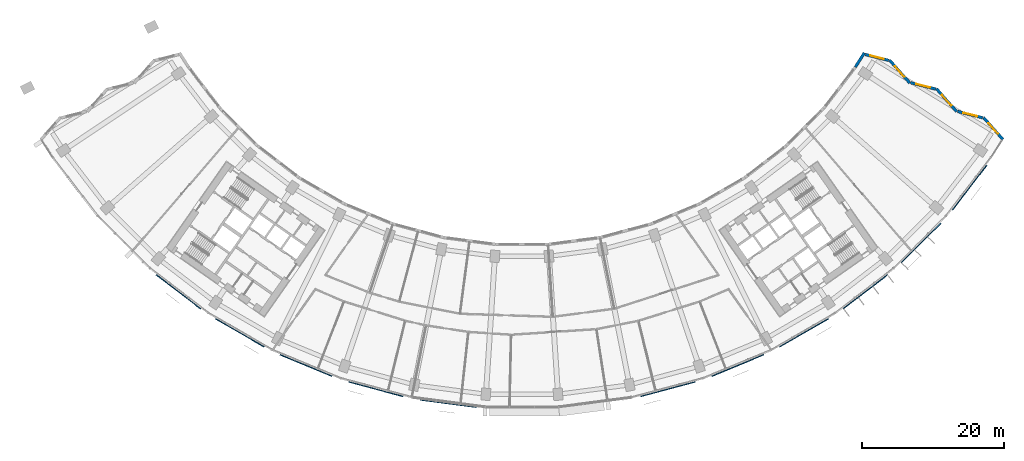
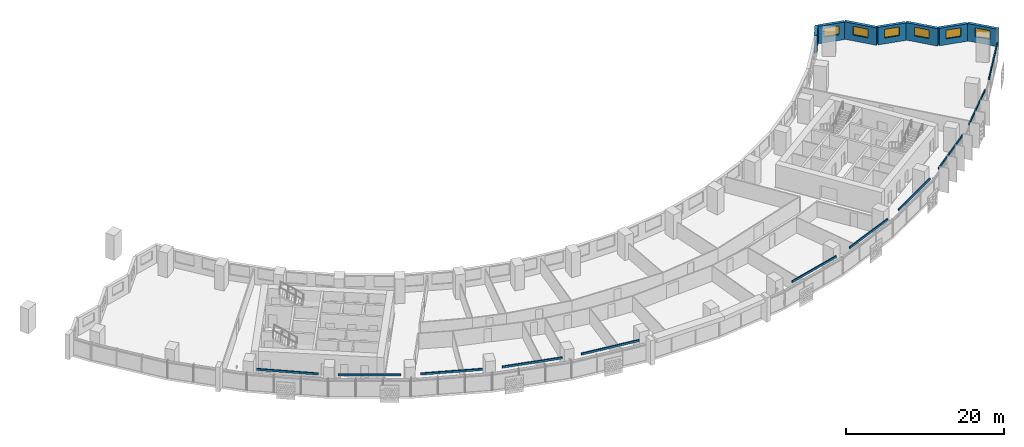
# One storey, part 8 of 31: 11 discrete accessories, 7 walls, 6 windows, 6 openings.
"""IFC4 building model written with IfcOpenShell, lengths in metres."""

from ifc_helpers import new_model, si_unit, direction, frame, frame_2d, origin, origin_2d, place, context, subcontext, project, spatial, rectangle, extrude, material, layer, layer_set, type_object, element, fill, save


model = new_model("IFC4")

# Units and contexts
model_context = context("Model", 3, precision=1e-05, world=origin(), true_north=direction((0.0, 1.0)))
body_context = subcontext(model_context, "Body", "Model", "MODEL_VIEW")
ifc_project = project(units=[si_unit("LENGTHUNIT", "METRE"), si_unit("AREAUNIT", "SQUARE_METRE"), si_unit("VOLUMEUNIT", "CUBIC_METRE"), si_unit("PLANEANGLEUNIT", "RADIAN"), si_unit("MASSUNIT", "GRAM", prefix="KILO")], contexts=[model_context])

# Site, building, storey
site_placement = place(None, origin())
site = spatial("IfcSite", under=ifc_project, at=site_placement, CompositionType="ELEMENT")
building_placement = place(site_placement, origin())
building = spatial("IfcBuilding", under=site, at=building_placement, Name="Qamariyya Broadcast Tower", CompositionType="ELEMENT")
storey_placement = place(building_placement, frame((0.0, 0.0, 74.699951171875)))
storey = spatial("IfcBuildingStorey", under=building, at=storey_placement, Name="L15", CompositionType="ELEMENT", Elevation=74.699951171875)

# Wall, opening, window
ifc_material_1 = material(Name="Terracotta", Category="masonry")
ifc_layer = layer(ifc_material_1, 0.39990234375)
ifc_layer_set = layer_set([ifc_layer], Name="Terracotta clad wall 400")
wall_type = type_object("IfcWallType", Name="Terracotta clad wall 400", PredefinedType="SOLIDWALL", material=ifc_layer_set)
wall_1_placement = place(storey_placement, frame((67.826416015625, -41.645751953125, 0.0), z_axis=(0.0, 0.0, 1.0), x_axis=(-0.662040770151, 0.749467823631, 0.0)))
wall_1 = element("IfcWall", 1, at=wall_1_placement, inside=storey, type_object=wall_type, Name="e-wl-L15-capE0", PredefinedType="SOLIDWALL", context=body_context, shape_type="SweptSolid", body=[
    extrude(rectangle(XDim=4.121826171875, YDim=0.39990234375, at=frame_2d((2.06103515625, 0.0))), origin(), (0.0, 0.0, 1.0), 2.699951171875),
])
opening_1_placement = place(wall_1_placement, frame((1.060791015625, 0.0, 0.89990234375)))
opening_1 = element("IfcOpeningElement", 2, at=opening_1_placement, cuts=wall_1, Name="Opening W4", PredefinedType="OPENING", context=body_context, shape_type="SweptSolid", body=[
    extrude(rectangle(XDim=2.0, YDim=1.35009765625, at=frame_2d((1.0, 0.675048828125))), frame((0.0, 0.2099609375, 0.0), z_axis=(0.0, -1.0, 0.0), x_axis=(1.0, 0.0, 0.0)), (0.0, 0.0, 1.0), 0.419921875),
])
ifc_material_2 = material(Name="Clear low-e double glazed unit in aluminium frame", Category="aluminium")
window_type = type_object("IfcWindowType", Name="Horn bay window 2000 x 1350", PartitioningType="SINGLE_PANEL", PredefinedType="WINDOW", material=ifc_material_2)
window_1_placement = place(opening_1_placement, origin())
window_1 = element("IfcWindow", 3, at=window_1_placement, inside=storey, type_object=window_type, Name="e-w-L15-capE0", OverallHeight=1.35009765625, OverallWidth=2.0, PartitioningType="SINGLE_PANEL", PredefinedType="WINDOW", context=body_context, shape_type="SweptSolid", body=[
    extrude(rectangle(XDim=2.0, YDim=1.35009765625, at=frame_2d((1.0, 0.675048828125))), frame((0.0, 0.030029296875, 0.0), z_axis=(0.0, -1.0, 0.0), x_axis=(1.0, 0.0, 0.0)), (0.0, 0.0, 1.0), 0.06005859375),
])
fill(opening_1, window_1)

wall_2_placement = place(storey_placement, frame((64.97314453125, -38.589111328125, 0.0), z_axis=(0.0, 0.0, 1.0), x_axis=(-0.969429874481, 0.245368536011, 0.0)))
wall_2 = element("IfcWall", 4, at=wall_2_placement, inside=storey, type_object=wall_type, Name="e-wl-L15-capE1", PredefinedType="SOLIDWALL", context=body_context, shape_type="SweptSolid", body=[
    extrude(rectangle(XDim=3.648681640625, YDim=0.39990234375, at=frame_2d((1.82421875, 0.0))), origin(), (0.0, 0.0, 1.0), 2.699951171875),
])
opening_2_placement = place(wall_2_placement, frame((0.824462890625, 0.0, 0.89990234375)))
opening_2 = element("IfcOpeningElement", 5, at=opening_2_placement, cuts=wall_2, Name="Opening W4", PredefinedType="OPENING", context=body_context, shape_type="SweptSolid", body=[
    extrude(rectangle(XDim=2.0, YDim=1.35009765625, at=frame_2d((1.0, 0.675048828125))), frame((0.0, 0.2099609375, 0.0), z_axis=(0.0, -1.0, 0.0), x_axis=(1.0, 0.0, 0.0)), (0.0, 0.0, 1.0), 0.419921875),
])
window_2_placement = place(opening_2_placement, origin())
window_2 = element("IfcWindow", 6, at=window_2_placement, inside=storey, type_object=window_type, Name="e-w-L15-capE1", OverallHeight=1.35009765625, OverallWidth=2.0, PartitioningType="SINGLE_PANEL", PredefinedType="WINDOW", context=body_context, shape_type="SweptSolid", body=[
    extrude(rectangle(XDim=2.0, YDim=1.35009765625, at=frame_2d((1.0, 0.675048828125))), frame((0.0, 0.030029296875, 0.0), z_axis=(0.0, -1.0, 0.0), x_axis=(1.0, 0.0, 0.0)), (0.0, 0.0, 1.0), 0.06005859375),
])
fill(opening_2, window_2)

wall_3_placement = place(storey_placement, frame((61.311767578125, -37.7265625, 0.0), z_axis=(0.0, 0.0, 1.0), x_axis=(-0.662099063423, 0.749416326359, 0.0)))
wall_3 = element("IfcWall", 7, at=wall_3_placement, inside=storey, type_object=wall_type, Name="e-wl-L15-capE2", PredefinedType="SOLIDWALL", context=body_context, shape_type="SweptSolid", body=[
    extrude(rectangle(XDim=4.294677734375, YDim=0.39990234375, at=frame_2d((2.1474609375, 0.0))), origin(), (0.0, 0.0, 1.0), 2.699951171875),
])
opening_3_placement = place(wall_3_placement, frame((1.147216796875, 0.0, 0.89990234375)))
opening_3 = element("IfcOpeningElement", 8, at=opening_3_placement, cuts=wall_3, Name="Opening W4", PredefinedType="OPENING", context=body_context, shape_type="SweptSolid", body=[
    extrude(rectangle(XDim=2.0, YDim=1.35009765625, at=frame_2d((1.0, 0.675048828125))), frame((0.0, 0.2099609375, 0.0), z_axis=(0.0, -1.0, 0.0), x_axis=(1.0, 0.0, 0.0)), (0.0, 0.0, 1.0), 0.419921875),
])
window_3_placement = place(opening_3_placement, origin())
window_3 = element("IfcWindow", 9, at=window_3_placement, inside=storey, type_object=window_type, Name="e-w-L15-capE2", OverallHeight=1.35009765625, OverallWidth=2.0, PartitioningType="SINGLE_PANEL", PredefinedType="WINDOW", context=body_context, shape_type="SweptSolid", body=[
    extrude(rectangle(XDim=2.0, YDim=1.35009765625, at=frame_2d((1.0, 0.675048828125))), frame((0.0, 0.030029296875, 0.0), z_axis=(0.0, -1.0, 0.0), x_axis=(1.0, 0.0, 0.0)), (0.0, 0.0, 1.0), 0.06005859375),
])
fill(opening_3, window_3)

wall_4_placement = place(storey_placement, frame((58.343994140625, -34.54052734375, 0.0), z_axis=(0.0, 0.0, 1.0), x_axis=(-0.969465536392, 0.245227595812, 0.0)))
wall_4 = element("IfcWall", 10, at=wall_4_placement, inside=storey, type_object=wall_type, Name="e-wl-L15-capE3", PredefinedType="SOLIDWALL", context=body_context, shape_type="SweptSolid", body=[
    extrude(rectangle(XDim=3.647705078125, YDim=0.39990234375, at=frame_2d((1.82373046875, 0.0))), origin(), (0.0, 0.0, 1.0), 2.699951171875),
])
opening_4_placement = place(wall_4_placement, frame((0.82373046875, 0.0, 0.89990234375)))
opening_4 = element("IfcOpeningElement", 11, at=opening_4_placement, cuts=wall_4, Name="Opening W4", PredefinedType="OPENING", context=body_context, shape_type="SweptSolid", body=[
    extrude(rectangle(XDim=2.0, YDim=1.35009765625, at=frame_2d((1.0, 0.675048828125))), frame((0.0, 0.2099609375, 0.0), z_axis=(0.0, -1.0, 0.0), x_axis=(1.0, 0.0, 0.0)), (0.0, 0.0, 1.0), 0.419921875),
])
window_4_placement = place(opening_4_placement, origin())
window_4 = element("IfcWindow", 12, at=window_4_placement, inside=storey, type_object=window_type, Name="e-w-L15-capE3", OverallHeight=1.35009765625, OverallWidth=2.0, PartitioningType="SINGLE_PANEL", PredefinedType="WINDOW", context=body_context, shape_type="SweptSolid", body=[
    extrude(rectangle(XDim=2.0, YDim=1.35009765625, at=frame_2d((1.0, 0.675048828125))), frame((0.0, 0.030029296875, 0.0), z_axis=(0.0, -1.0, 0.0), x_axis=(1.0, 0.0, 0.0)), (0.0, 0.0, 1.0), 0.06005859375),
])
fill(opening_4, window_4)

wall_5_placement = place(storey_placement, frame((54.683349609375, -33.678466796875, 0.0), z_axis=(0.0, 0.0, 1.0), x_axis=(-0.662170337011, 0.749353351085, 0.0)))
wall_5 = element("IfcWall", 13, at=wall_5_placement, inside=storey, type_object=wall_type, Name="e-wl-L15-capE4", PredefinedType="SOLIDWALL", context=body_context, shape_type="SweptSolid", body=[
    extrude(rectangle(XDim=4.295654296875, YDim=0.39990234375, at=frame_2d((2.14794921875, 0.0))), origin(), (0.0, 0.0, 1.0), 2.699951171875),
])
opening_5_placement = place(wall_5_placement, frame((1.14794921875, 0.0, 0.89990234375)))
opening_5 = element("IfcOpeningElement", 14, at=opening_5_placement, cuts=wall_5, Name="Opening W4", PredefinedType="OPENING", context=body_context, shape_type="SweptSolid", body=[
    extrude(rectangle(XDim=2.0, YDim=1.35009765625, at=frame_2d((1.0, 0.675048828125))), frame((0.0, 0.2099609375, 0.0), z_axis=(0.0, -1.0, 0.0), x_axis=(1.0, 0.0, 0.0)), (0.0, 0.0, 1.0), 0.419921875),
])
window_5_placement = place(opening_5_placement, origin())
window_5 = element("IfcWindow", 15, at=window_5_placement, inside=storey, type_object=window_type, Name="e-w-L15-capE4", OverallHeight=1.35009765625, OverallWidth=2.0, PartitioningType="SINGLE_PANEL", PredefinedType="WINDOW", context=body_context, shape_type="SweptSolid", body=[
    extrude(rectangle(XDim=2.0, YDim=1.35009765625, at=frame_2d((1.0, 0.675048828125))), frame((0.0, 0.030029296875, 0.0), z_axis=(0.0, -1.0, 0.0), x_axis=(1.0, 0.0, 0.0)), (0.0, 0.0, 1.0), 0.06005859375),
])
fill(opening_5, window_5)

wall_6_placement = place(storey_placement, frame((51.71435546875, -30.491943359375, 0.0), z_axis=(0.0, 0.0, 1.0), x_axis=(-0.969487387666, 0.245141194329, 0.0)))
wall_6 = element("IfcWall", 16, at=wall_6_placement, inside=storey, type_object=wall_type, Name="e-wl-L15-capE5", PredefinedType="SOLIDWALL", context=body_context, shape_type="SweptSolid", body=[
    extrude(rectangle(XDim=3.39404296875, YDim=0.39990234375, at=frame_2d((1.697021484375, 0.0))), origin(), (0.0, 0.0, 1.0), 2.699951171875),
])
opening_6_placement = place(wall_6_placement, frame((0.697021484375, 0.0, 0.89990234375)))
opening_6 = element("IfcOpeningElement", 17, at=opening_6_placement, cuts=wall_6, Name="Opening W4", PredefinedType="OPENING", context=body_context, shape_type="SweptSolid", body=[
    extrude(rectangle(XDim=2.0, YDim=1.35009765625, at=frame_2d((1.0, 0.675048828125))), frame((0.0, 0.2099609375, 0.0), z_axis=(0.0, -1.0, 0.0), x_axis=(1.0, 0.0, 0.0)), (0.0, 0.0, 1.0), 0.419921875),
])
window_6_placement = place(opening_6_placement, origin())
window_6 = element("IfcWindow", 18, at=window_6_placement, inside=storey, type_object=window_type, Name="e-w-L15-capE5", OverallHeight=1.35009765625, OverallWidth=2.0, PartitioningType="SINGLE_PANEL", PredefinedType="WINDOW", context=body_context, shape_type="SweptSolid", body=[
    extrude(rectangle(XDim=2.0, YDim=1.35009765625, at=frame_2d((1.0, 0.675048828125))), frame((0.0, 0.030029296875, 0.0), z_axis=(0.0, -1.0, 0.0), x_axis=(1.0, 0.0, 0.0)), (0.0, 0.0, 1.0), 0.06005859375),
])
fill(opening_6, window_6)

# Wall
wall_7_placement = place(storey_placement, frame((48.284423828125, -29.4384765625, 0.0), z_axis=(0.0, 0.0, 1.0), x_axis=(-0.538562124457, -0.842585804592, 0.0)))
element("IfcWall", 19, at=wall_7_placement, inside=storey, type_object=wall_type, Name="e-wl-L15-in160", PredefinedType="SOLIDWALL", context=body_context, shape_type="SweptSolid", body=[
    extrude(rectangle(XDim=2.3681640625, YDim=0.39990234375, at=frame_2d((1.18408203125, 0.0))), origin(), (0.0, 0.0, 1.0), 2.699951171875),
])

# Discrete accessories
ifc_material_3 = material(Name="Stainless steel 316", Category="steel")
discrete_accessory_type = type_object("IfcDiscreteAccessoryType", Name="Slab edge fixing angle, stainless steel", PredefinedType="BRACKET", material=ifc_material_3)
for number, where, z_axis, x_axis, name in (
    (20, (-48.4296875, -63.11474609375, 3.2998046875), (0.0, 0.0, 1.0), (0.793353340291, -0.608761429009, 0.0), "e-br-L15-03-0"),
    (21, (-39.77734375, -68.896240234375, 3.2998046875), (0.0, 0.0, 1.0), (0.866025403784, -0.5, 0.0), "e-br-L15-04-0"),
    (22, (-30.444091796875, -73.498779296875, 3.2998046875), (0.0, 0.0, 1.0), (0.923879532511, -0.382683432365, 0.0), "e-br-L15-05-0"),
    (23, (-20.59033203125, -76.84375, 3.2998046875), (0.0, 0.0, 1.0), (0.965925826289, -0.258819045103, 0.0), "e-br-L15-06-0"),
    (24, (-10.384033203125, -78.873779296875, 3.2998046875), (0.0, 0.0, 1.0), (0.991444861374, -0.13052619222, 0.0), "e-br-L15-07-0"),
    (25, (20.59033203125, -76.84375, 3.2998046875), (0.0, 0.0, 1.0), (0.965925826289, 0.258819045103, 0.0), "e-br-L15-10-0"),
    (26, (30.444091796875, -73.498779296875, 3.2998046875), (0.0, 0.0, 1.0), (0.923879532511, 0.382683432365, 0.0), "e-br-L15-11-0"),
    (27, (39.77734375, -68.896240234375, 3.2998046875), (0.0, 0.0, 1.0), (0.866025403784, 0.5, 0.0), "e-br-L15-12-0"),
    (28, (48.4296875, -63.11474609375, 3.2998046875), (0.0, 0.0, 1.0), (0.793353340291, 0.608761429009, 0.0), "e-br-L15-13-0"),
    (29, (56.25341796875, -56.25341796875, 3.2998046875), (0.0, 0.0, 1.0), (0.707106781187, 0.707106781187, 0.0), "e-br-L15-14-0"),
    (30, (63.11474609375, -48.4296875, 3.2998046875), (0.0, 0.0, 1.0), (0.608761429009, 0.793353340291, 0.0), "e-br-L15-15-0"),
):
    element("IfcDiscreteAccessory", number, at=place(storey_placement, frame(where, z_axis=z_axis, x_axis=x_axis)), inside=storey, type_object=discrete_accessory_type, Name=name, PredefinedType="BRACKET", context=body_context, shape_type="SweptSolid", body=[
        extrude(rectangle(XDim=7.9140625, YDim=0.14990234375, at=origin_2d()), origin(), (0.0, 0.0, 1.0), 0.300048828125),
    ])

save(model, "model.ifc")
